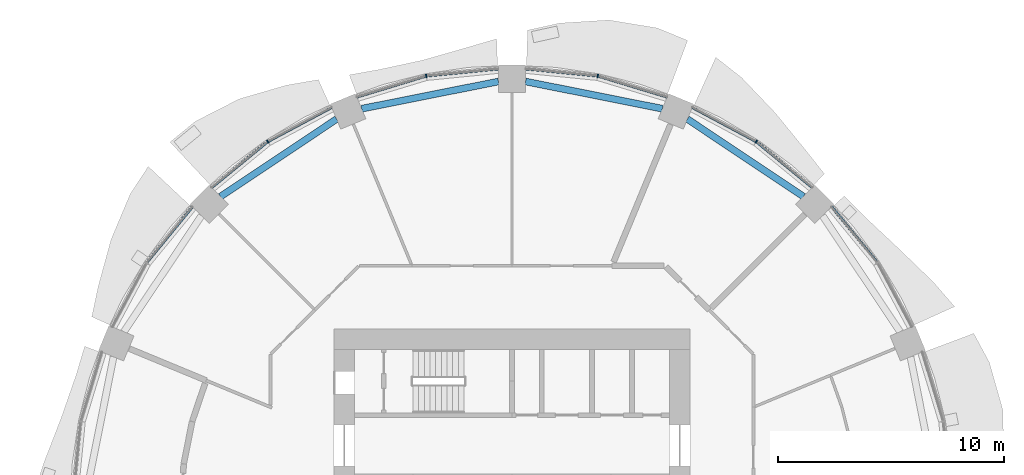
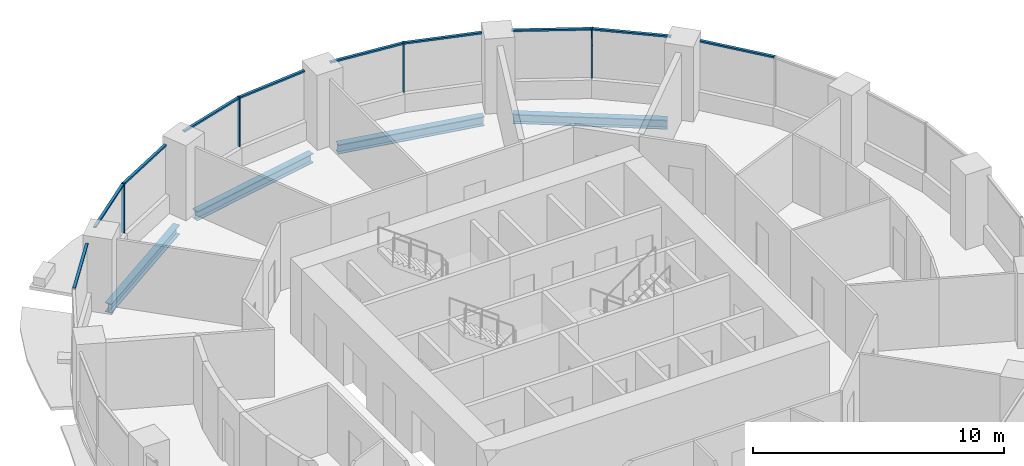
# One storey, part 6 of 15: 14 members, 4 beams, 6 elements without a shape of their own.
"""IFC4 building model written with IfcOpenShell, lengths in metres."""

from ifc_helpers import new_model, si_unit, direction, frame, origin, origin_2d, place, context, subcontext, project, spatial, rectangle, i_section, extrude, material, material_profile, profile_set, type_object, element, aggregate, save


model = new_model("IFC4")

# Units and contexts
model_context = context("Model", 3, precision=1e-05, world=origin(), true_north=direction((0.0, 1.0)))
body_context = subcontext(model_context, "Body", "Model", "MODEL_VIEW")
ifc_project = project(units=[si_unit("LENGTHUNIT", "METRE"), si_unit("AREAUNIT", "SQUARE_METRE"), si_unit("VOLUMEUNIT", "CUBIC_METRE"), si_unit("PLANEANGLEUNIT", "RADIAN"), si_unit("MASSUNIT", "GRAM", prefix="KILO")], contexts=[model_context])

# Site, building, storey
site_placement = place(None, origin())
site = spatial("IfcSite", under=ifc_project, at=site_placement, CompositionType="ELEMENT")
building_placement = place(site_placement, origin())
building = spatial("IfcBuilding", under=site, at=building_placement, Name="Polderwave Tower", CompositionType="ELEMENT")
storey_placement = place(building_placement, frame((0.0, 0.0, 59.050048828125)))
storey = spatial("IfcBuildingStorey", under=building, at=storey_placement, Name="L15", CompositionType="ELEMENT", Elevation=59.050048828125)

# Curtain wall, member
ifc_material_1 = material(Name="Aluminium 6063-T6 and glass", Category="aluminium")
curtain_wall_type = type_object("IfcCurtainWallType", Name="Growing floor ribbon glazing wall", PredefinedType="NOTDEFINED", material=ifc_material_1)
curtain_wall_1_placement = place(storey_placement, origin())
curtain_wall_1 = element("IfcCurtainWall", 1, at=curtain_wall_1_placement, inside=storey, type_object=curtain_wall_type, Name="CW2 L15 02", PredefinedType="NOTDEFINED")
ifc_material_2 = material(Name="Aluminium 6063-T6", Category="aluminium")
ifc_material_profile_1 = material_profile(ifc_material_2, rectangle(XDim=0.14990234375, YDim=0.06005859375, at=origin_2d()), Name="AL 60x150")
ifc_profile_set_1 = profile_set([ifc_material_profile_1], Name="Aluminium 6063-T6")
member_type_1 = type_object("IfcMemberType", Name="Growing floor ribbon glazing mullion 60x150", PredefinedType="MULLION", material=ifc_profile_set_1)
member_1_placement = place(storey_placement, frame((10.800048828125, 16.1640625, 0.89990234375), z_axis=(0.0, 0.0, 1.0), x_axis=(-0.555526696611, -0.831498700752, 0.0)))
member_1 = element("IfcMember", 2, at=member_1_placement, type_object=member_type_1, Name="CW2 mullion 1", PredefinedType="MULLION", context=body_context, shape_type="SweptSolid", body=[
    extrude(rectangle(XDim=0.14990234375, YDim=0.06005859375, at=origin_2d()), origin(), (0.0, 0.0, 1.0), 2.400146484375),
])

curtain_wall_2_placement = place(storey_placement, origin())
curtain_wall_2 = element("IfcCurtainWall", 3, at=curtain_wall_2_placement, inside=storey, type_object=curtain_wall_type, Name="CW2 L15 03", PredefinedType="NOTDEFINED")
member_2_placement = place(storey_placement, frame((3.79296875, 19.06591796875, 0.89990234375), z_axis=(0.0, 0.0, 1.0), x_axis=(-0.195172487407, -0.980768933113, 0.0)))
member_2 = element("IfcMember", 4, at=member_2_placement, type_object=member_type_1, Name="CW2 mullion 1", PredefinedType="MULLION", context=body_context, shape_type="SweptSolid", body=[
    extrude(rectangle(XDim=0.14990234375, YDim=0.06005859375, at=origin_2d()), origin(), (0.0, 0.0, 1.0), 2.400146484375),
])

curtain_wall_3_placement = place(storey_placement, origin())
curtain_wall_3 = element("IfcCurtainWall", 5, at=curtain_wall_3_placement, inside=storey, type_object=curtain_wall_type, Name="CW2 L15 04", PredefinedType="NOTDEFINED")
member_3_placement = place(storey_placement, frame((-3.79296875, 19.06591796875, 0.89990234375), z_axis=(0.0, 0.0, 1.0), x_axis=(0.195172487407, -0.980768933113, 0.0)))
member_3 = element("IfcMember", 6, at=member_3_placement, type_object=member_type_1, Name="CW2 mullion 1", PredefinedType="MULLION", context=body_context, shape_type="SweptSolid", body=[
    extrude(rectangle(XDim=0.14990234375, YDim=0.06005859375, at=origin_2d()), origin(), (0.0, 0.0, 1.0), 2.400146484375),
])

curtain_wall_4_placement = place(storey_placement, origin())
curtain_wall_4 = element("IfcCurtainWall", 7, at=curtain_wall_4_placement, inside=storey, type_object=curtain_wall_type, Name="CW2 L15 05", PredefinedType="NOTDEFINED")
member_4_placement = place(storey_placement, frame((-10.800048828125, 16.1640625, 0.89990234375), z_axis=(0.0, 0.0, 1.0), x_axis=(0.555526696611, -0.831498700752, 0.0)))
member_4 = element("IfcMember", 8, at=member_4_placement, type_object=member_type_1, Name="CW2 mullion 1", PredefinedType="MULLION", context=body_context, shape_type="SweptSolid", body=[
    extrude(rectangle(XDim=0.14990234375, YDim=0.06005859375, at=origin_2d()), origin(), (0.0, 0.0, 1.0), 2.400146484375),
])

curtain_wall_5_placement = place(storey_placement, origin())
curtain_wall_5 = element("IfcCurtainWall", 9, at=curtain_wall_5_placement, inside=storey, type_object=curtain_wall_type, Name="CW2 L15 01", PredefinedType="NOTDEFINED")
ifc_material_profile_2 = material_profile(ifc_material_2, rectangle(XDim=0.1201171875, YDim=0.080078125, at=origin_2d()), Name="AL 80x120")
ifc_profile_set_2 = profile_set([ifc_material_profile_2], Name="Aluminium 6063-T6")
member_type_2 = type_object("IfcMemberType", Name="Growing floor ribbon glazing transom 80x120", PredefinedType="USERDEFINED", material=ifc_profile_set_2)
member_5_placement = place(storey_placement, frame((16.14501953125, 10.8232421875, 3.260009765625), z_axis=(-0.634370760679, 0.77302893736, 0.0), x_axis=(-0.77302893736, -0.634370760679, 0.0)))
member_5 = element("IfcMember", 10, at=member_5_placement, type_object=member_type_2, Name="CW2 transom 2", ObjectType="TRANSOM", PredefinedType="USERDEFINED", context=body_context, shape_type="SweptSolid", body=[
    extrude(rectangle(XDim=0.1201171875, YDim=0.080078125, at=origin_2d()), origin(), (0.0, 0.0, 1.0), 3.17822265625),
])
aggregate(curtain_wall_5, [member_5])

# Member
member_6_placement = place(storey_placement, frame((13.280029296875, 14.12890625, 3.260009765625), z_axis=(-0.77302893736, 0.634370760679, 0.0), x_axis=(-0.634370760679, -0.77302893736, 0.0)))
member_6 = element("IfcMember", 11, at=member_6_placement, type_object=member_type_2, Name="CW2 transom 1", ObjectType="TRANSOM", PredefinedType="USERDEFINED", context=body_context, shape_type="SweptSolid", body=[
    extrude(rectangle(XDim=0.1201171875, YDim=0.080078125, at=origin_2d()), origin(), (0.0, 0.0, 1.0), 3.17822265625),
])

member_7_placement = place(storey_placement, frame((10.7734375, 16.177978515625, 3.260009765625), z_axis=(-0.881910191406, 0.471417452258, 0.0), x_axis=(-0.471417452258, -0.881910191406, 0.0)))
member_7 = element("IfcMember", 12, at=member_7_placement, type_object=member_type_2, Name="CW2 transom 2", ObjectType="TRANSOM", PredefinedType="USERDEFINED", context=body_context, shape_type="SweptSolid", body=[
    extrude(rectangle(XDim=0.1201171875, YDim=0.080078125, at=origin_2d()), origin(), (0.0, 0.0, 1.0), 3.177734375),
])

aggregate(curtain_wall_1, [member_1, member_6, member_7])

member_8_placement = place(storey_placement, frame((6.862060546875, 18.135009765625, 3.260009765625), z_axis=(-0.956931289937, 0.290314495574, 0.0), x_axis=(-0.290314495574, -0.956931289937, 0.0)))
member_8 = element("IfcMember", 13, at=member_8_placement, type_object=member_type_2, Name="CW2 transom 1", ObjectType="TRANSOM", PredefinedType="USERDEFINED", context=body_context, shape_type="SweptSolid", body=[
    extrude(rectangle(XDim=0.1201171875, YDim=0.080078125, at=origin_2d()), origin(), (0.0, 0.0, 1.0), 3.177001953125),
])

member_9_placement = place(storey_placement, frame((3.76318359375, 19.06884765625, 3.260009765625), z_axis=(-0.995162633096, 0.098241201585, 0.0), x_axis=(-0.098241201585, -0.995162633096, 0.0)))
member_9 = element("IfcMember", 14, at=member_9_placement, type_object=member_type_2, Name="CW2 transom 2", ObjectType="TRANSOM", PredefinedType="USERDEFINED", context=body_context, shape_type="SweptSolid", body=[
    extrude(rectangle(XDim=0.1201171875, YDim=0.080078125, at=origin_2d()), origin(), (0.0, 0.0, 1.0), 3.178466796875),
])

aggregate(curtain_wall_2, [member_2, member_8, member_9])

member_10_placement = place(storey_placement, frame((-0.60009765625, 19.381103515625, 3.260009765625), z_axis=(-0.995162633096, -0.098241201585, 0.0), x_axis=(0.098241201585, -0.995162633096, 0.0)))
member_10 = element("IfcMember", 15, at=member_10_placement, type_object=member_type_2, Name="CW2 transom 1", ObjectType="TRANSOM", PredefinedType="USERDEFINED", context=body_context, shape_type="SweptSolid", body=[
    extrude(rectangle(XDim=0.1201171875, YDim=0.080078125, at=origin_2d()), origin(), (0.0, 0.0, 1.0), 3.178466796875),
])

member_11_placement = place(storey_placement, frame((-3.82177734375, 19.057373046875, 3.260009765625), z_axis=(-0.956931289937, -0.290314495574, 0.0), x_axis=(0.290314495574, -0.956931289937, 0.0)))
member_11 = element("IfcMember", 16, at=member_11_placement, type_object=member_type_2, Name="CW2 transom 2", ObjectType="TRANSOM", PredefinedType="USERDEFINED", context=body_context, shape_type="SweptSolid", body=[
    extrude(rectangle(XDim=0.1201171875, YDim=0.080078125, at=origin_2d()), origin(), (0.0, 0.0, 1.0), 3.177001953125),
])

aggregate(curtain_wall_3, [member_3, member_10, member_11])

member_12_placement = place(storey_placement, frame((-7.970947265625, 17.676025390625, 3.260009765625), z_axis=(-0.881910191406, -0.471417452258, 0.0), x_axis=(0.471417452258, -0.881910191406, 0.0)))
member_12 = element("IfcMember", 17, at=member_12_placement, type_object=member_type_2, Name="CW2 transom 1", ObjectType="TRANSOM", PredefinedType="USERDEFINED", context=body_context, shape_type="SweptSolid", body=[
    extrude(rectangle(XDim=0.1201171875, YDim=0.080078125, at=origin_2d()), origin(), (0.0, 0.0, 1.0), 3.177734375),
])

member_13_placement = place(storey_placement, frame((-10.8232421875, 16.14501953125, 3.260009765625), z_axis=(-0.77302893736, -0.634370760679, 0.0), x_axis=(0.634370760679, -0.77302893736, 0.0)))
member_13 = element("IfcMember", 18, at=member_13_placement, type_object=member_type_2, Name="CW2 transom 2", ObjectType="TRANSOM", PredefinedType="USERDEFINED", context=body_context, shape_type="SweptSolid", body=[
    extrude(rectangle(XDim=0.1201171875, YDim=0.080078125, at=origin_2d()), origin(), (0.0, 0.0, 1.0), 3.17822265625),
])

aggregate(curtain_wall_4, [member_4, member_12, member_13])

# Curtain wall, member
curtain_wall_6_placement = place(storey_placement, origin())
curtain_wall_6 = element("IfcCurtainWall", 19, at=curtain_wall_6_placement, inside=storey, type_object=curtain_wall_type, Name="CW2 L15 06", PredefinedType="NOTDEFINED")
member_14_placement = place(storey_placement, frame((-14.12890625, 13.280029296875, 3.260009765625), z_axis=(-0.634370760679, -0.77302893736, 0.0), x_axis=(0.77302893736, -0.634370760679, 0.0)))
member_14 = element("IfcMember", 20, at=member_14_placement, type_object=member_type_2, Name="CW2 transom 1", ObjectType="TRANSOM", PredefinedType="USERDEFINED", context=body_context, shape_type="SweptSolid", body=[
    extrude(rectangle(XDim=0.1201171875, YDim=0.080078125, at=origin_2d()), origin(), (0.0, 0.0, 1.0), 3.17822265625),
])
aggregate(curtain_wall_6, [member_14])

# Beams
ifc_material_3 = material(Name="Steel S355", Category="steel")
ifc_material_profile_3 = material_profile(ifc_material_3, i_section(OverallWidth=0.300048828125, OverallDepth=0.449951171875, WebThickness=0.013916015625, FlangeThickness=0.02587890625, at=origin_2d()), Name="HE 450 B")
ifc_profile_set_3 = profile_set([ifc_material_profile_3], Name="Steel S355")
beam_type = type_object("IfcBeamType", Name="RING BEAM HE 450 B", PredefinedType="BEAM", material=ifc_profile_set_3)
beam_1_placement = place(storey_placement, frame((12.884033203125, 13.732421875, -0.574951171875), z_axis=(-0.831471217158, 0.555567831177, 0.0), x_axis=(-0.555567831177, -0.831471217158, 0.0)))
element("IfcBeam", 21, at=beam_1_placement, inside=storey, type_object=beam_type, Name="ST-RB-L15-02", PredefinedType="BEAM", context=body_context, shape_type="SweptSolid", body=[
    extrude(i_section(OverallWidth=0.300048828125, OverallDepth=0.449951171875, WebThickness=0.013916015625, FlangeThickness=0.02587890625, at=origin_2d()), origin(), (0.0, 0.0, 1.0), 6.166748046875),
])
for number, where, z_axis, x_axis, name in (
    (22, (6.64794921875, 17.61767578125, -0.574951171875), (-0.980788743602, 0.195072910533, 0.0), (-0.195072910533, -0.980788743602, 0.0), "ST-RB-L15-03"),
    (23, (-0.60009765625, 18.820556640625, -0.574951171875), (-0.980788743602, -0.195072910533, 0.0), (0.195072910533, -0.980788743602, 0.0), "ST-RB-L15-04"),
):
    element("IfcBeam", number, at=place(storey_placement, frame(where, z_axis=z_axis, x_axis=x_axis)), inside=storey, type_object=beam_type, Name=name, PredefinedType="BEAM", context=body_context, shape_type="SweptSolid", body=[
        extrude(i_section(OverallWidth=0.300048828125, OverallDepth=0.449951171875, WebThickness=0.013916015625, FlangeThickness=0.02587890625, at=origin_2d()), origin(), (0.0, 0.0, 1.0), 6.166259765625),
    ])
beam_2_placement = place(storey_placement, frame((-7.756591796875, 17.158447265625, -0.574951171875), z_axis=(-0.831471217158, -0.555567831177, 0.0), x_axis=(0.555567831177, -0.831471217158, 0.0)))
element("IfcBeam", 24, at=beam_2_placement, inside=storey, type_object=beam_type, Name="ST-RB-L15-05", PredefinedType="BEAM", context=body_context, shape_type="SweptSolid", body=[
    extrude(i_section(OverallWidth=0.300048828125, OverallDepth=0.449951171875, WebThickness=0.013916015625, FlangeThickness=0.02587890625, at=origin_2d()), origin(), (0.0, 0.0, 1.0), 6.166748046875),
])

save(model, "model.ifc")
